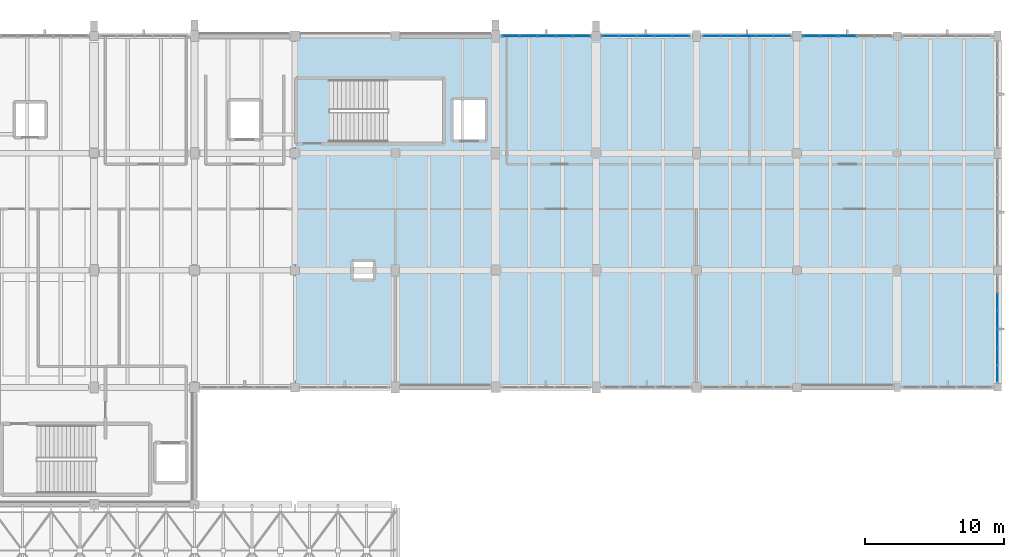
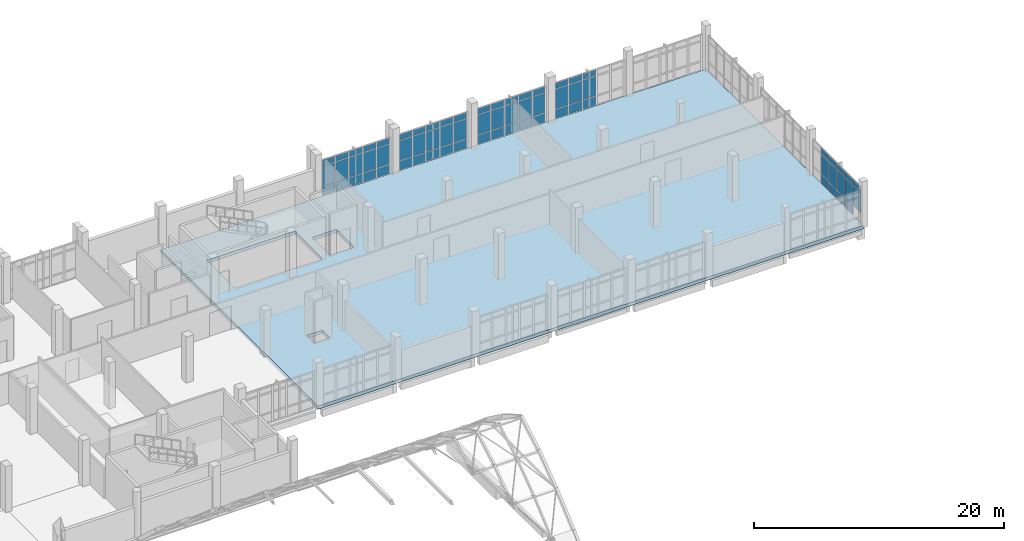
# One storey, part 67 of 87: 68 plates, 1 slab, 5 elements without a shape of their own.
"""IFC4 building model written with IfcOpenShell, lengths in metres."""

from ifc_helpers import new_model, si_unit, direction, frame, origin, origin_2d, place, context, subcontext, project, spatial, polyline, rectangle, outline, extrude, material, layer, layer_set, type_object, element, aggregate, save


model = new_model("IFC4")

# Units and contexts
model_context = context("Model", 3, precision=1e-05, world=origin(), true_north=direction((0.0, 1.0)))
body_context = subcontext(model_context, "Body", "Model", "MODEL_VIEW")
ifc_project = project(units=[si_unit("LENGTHUNIT", "METRE"), si_unit("AREAUNIT", "SQUARE_METRE"), si_unit("VOLUMEUNIT", "CUBIC_METRE"), si_unit("PLANEANGLEUNIT", "RADIAN"), si_unit("MASSUNIT", "GRAM", prefix="KILO")], contexts=[model_context])

# Site, building, storey
site_placement = place(None, origin())
site = spatial("IfcSite", under=ifc_project, at=site_placement, CompositionType="ELEMENT")
building_placement = place(site_placement, origin())
building = spatial("IfcBuilding", under=site, at=building_placement, Name="Kalluvel Institute of Natural Sciences", CompositionType="ELEMENT")
storey_placement = place(building_placement, frame((0.0, 0.0, 18.89990234375)))
storey = spatial("IfcBuildingStorey", under=building, at=storey_placement, Name="L04", CompositionType="ELEMENT", Elevation=18.89990234375)

# Curtain wall, plates
ifc_material_1 = material(Name="Aluminium AW-6063 T6", Category="aluminium")
curtain_wall_type = type_object("IfcCurtainWallType", Name="CW-WET-45", PredefinedType="USERDEFINED", material=ifc_material_1)
curtain_wall_1_placement = place(storey_placement, origin())
curtain_wall_1 = element("IfcCurtainWall", 1, at=curtain_wall_1_placement, inside=storey, type_object=curtain_wall_type, Name="L04 Gothic lancet curtain wall CWA-L04-X792-Y1280", ObjectType="UNITISED LANCET FACADE", PredefinedType="USERDEFINED")
ifc_material_2 = material(Name="Solar-Control Low-E Laminated Glass", Category="glass")
ifc_layer_1 = layer(ifc_material_2, 0.031982421875)
ifc_layer_set_1 = layer_set([ifc_layer_1], Name="Solar-Control Low-E Laminated Glass")
plate_type = type_object("IfcPlateType", Name="CWP-DGU-32", PredefinedType="CURTAIN_PANEL", material=ifc_layer_set_1)
plate_1_placement = place(storey_placement, frame((79.90380859375, 128.0, 0.065185546875), z_axis=(0.0, 0.0, 1.0), x_axis=(1.0, 0.0, 0.0)))
plate_1 = element("IfcPlate", 2, at=plate_1_placement, type_object=plate_type, Name="CW-01 panel 1.1", PredefinedType="CURTAIN_PANEL", context=body_context, shape_type="SweptSolid", body=[
    extrude(rectangle(XDim=1.177490234375, YDim=0.031982421875, at=origin_2d()), origin(), (0.0, 0.0, 1.0), 0.8525390625),
])
plate_2_placement = place(storey_placement, frame((79.90380859375, 128.0, 0.982666015625), z_axis=(0.0, 0.0, 1.0), x_axis=(1.0, 0.0, 0.0)))
plate_2 = element("IfcPlate", 3, at=plate_2_placement, type_object=plate_type, Name="CW-01 panel 1.2", PredefinedType="CURTAIN_PANEL", context=body_context, shape_type="SweptSolid", body=[
    extrude(rectangle(XDim=1.177490234375, YDim=0.031982421875, at=origin_2d()), origin(), (0.0, 0.0, 1.0), 1.9150390625),
])
plate_3_placement = place(storey_placement, frame((79.90380859375, 128.0, 2.96240234375), z_axis=(0.0, 0.0, 1.0), x_axis=(1.0, 0.0, 0.0)))
plate_3 = element("IfcPlate", 4, at=plate_3_placement, type_object=plate_type, Name="CW-01 panel 1.3", PredefinedType="CURTAIN_PANEL", context=body_context, shape_type="SweptSolid", body=[
    extrude(rectangle(XDim=1.177490234375, YDim=0.031982421875, at=origin_2d()), origin(), (0.0, 0.0, 1.0), 0.552490234375),
])
plate_4_placement = place(storey_placement, frame((81.16259765625, 128.0, 0.065185546875), z_axis=(0.0, 0.0, 1.0), x_axis=(1.0, 0.0, 0.0)))
plate_4 = element("IfcPlate", 5, at=plate_4_placement, type_object=plate_type, Name="CW-01 panel 2.1", PredefinedType="CURTAIN_PANEL", context=body_context, shape_type="SweptSolid", body=[
    extrude(rectangle(XDim=1.2099609375, YDim=0.031982421875, at=origin_2d()), origin(), (0.0, 0.0, 1.0), 0.8525390625),
])
plate_5_placement = place(storey_placement, frame((81.16259765625, 128.0, 0.982666015625), z_axis=(0.0, 0.0, 1.0), x_axis=(1.0, 0.0, 0.0)))
plate_5 = element("IfcPlate", 6, at=plate_5_placement, type_object=plate_type, Name="CW-01 panel 2.2", PredefinedType="CURTAIN_PANEL", context=body_context, shape_type="SweptSolid", body=[
    extrude(rectangle(XDim=1.2099609375, YDim=0.031982421875, at=origin_2d()), origin(), (0.0, 0.0, 1.0), 1.9150390625),
])
plate_6_placement = place(storey_placement, frame((81.16259765625, 128.0, 2.96240234375), z_axis=(0.0, 0.0, 1.0), x_axis=(1.0, 0.0, 0.0)))
plate_6 = element("IfcPlate", 7, at=plate_6_placement, type_object=plate_type, Name="CW-01 panel 2.3", PredefinedType="CURTAIN_PANEL", context=body_context, shape_type="SweptSolid", body=[
    extrude(rectangle(XDim=1.2099609375, YDim=0.031982421875, at=origin_2d()), origin(), (0.0, 0.0, 1.0), 0.552490234375),
])
plate_7_placement = place(storey_placement, frame((82.4375, 128.0, 0.065185546875), z_axis=(0.0, 0.0, 1.0), x_axis=(1.0, 0.0, 0.0)))
plate_7 = element("IfcPlate", 8, at=plate_7_placement, type_object=plate_type, Name="CW-01 panel 3.1", PredefinedType="CURTAIN_PANEL", context=body_context, shape_type="SweptSolid", body=[
    extrude(rectangle(XDim=1.2099609375, YDim=0.031982421875, at=origin_2d()), origin(), (0.0, 0.0, 1.0), 0.8525390625),
])
plate_8_placement = place(storey_placement, frame((82.4375, 128.0, 0.982666015625), z_axis=(0.0, 0.0, 1.0), x_axis=(1.0, 0.0, 0.0)))
plate_8 = element("IfcPlate", 9, at=plate_8_placement, type_object=plate_type, Name="CW-01 panel 3.2", PredefinedType="CURTAIN_PANEL", context=body_context, shape_type="SweptSolid", body=[
    extrude(rectangle(XDim=1.2099609375, YDim=0.031982421875, at=origin_2d()), origin(), (0.0, 0.0, 1.0), 1.9150390625),
])
plate_9_placement = place(storey_placement, frame((82.4375, 128.0, 2.96240234375), z_axis=(0.0, 0.0, 1.0), x_axis=(1.0, 0.0, 0.0)))
plate_9 = element("IfcPlate", 10, at=plate_9_placement, type_object=plate_type, Name="CW-01 panel 3.3", PredefinedType="CURTAIN_PANEL", context=body_context, shape_type="SweptSolid", body=[
    extrude(rectangle(XDim=1.2099609375, YDim=0.031982421875, at=origin_2d()), origin(), (0.0, 0.0, 1.0), 0.552490234375),
])
plate_10_placement = place(storey_placement, frame((83.71240234375, 128.0, 0.065185546875), z_axis=(0.0, 0.0, 1.0), x_axis=(1.0, 0.0, 0.0)))
plate_10 = element("IfcPlate", 11, at=plate_10_placement, type_object=plate_type, Name="CW-01 panel 4.1", PredefinedType="CURTAIN_PANEL", context=body_context, shape_type="SweptSolid", body=[
    extrude(rectangle(XDim=1.2099609375, YDim=0.031982421875, at=origin_2d()), origin(), (0.0, 0.0, 1.0), 0.8525390625),
])
plate_11_placement = place(storey_placement, frame((83.71240234375, 128.0, 0.982666015625), z_axis=(0.0, 0.0, 1.0), x_axis=(1.0, 0.0, 0.0)))
plate_11 = element("IfcPlate", 12, at=plate_11_placement, type_object=plate_type, Name="CW-01 panel 4.2", PredefinedType="CURTAIN_PANEL", context=body_context, shape_type="SweptSolid", body=[
    extrude(rectangle(XDim=1.2099609375, YDim=0.031982421875, at=origin_2d()), origin(), (0.0, 0.0, 1.0), 1.9150390625),
])
plate_12_placement = place(storey_placement, frame((83.71240234375, 128.0, 2.96240234375), z_axis=(0.0, 0.0, 1.0), x_axis=(1.0, 0.0, 0.0)))
plate_12 = element("IfcPlate", 13, at=plate_12_placement, type_object=plate_type, Name="CW-01 panel 4.3", PredefinedType="CURTAIN_PANEL", context=body_context, shape_type="SweptSolid", body=[
    extrude(rectangle(XDim=1.2099609375, YDim=0.031982421875, at=origin_2d()), origin(), (0.0, 0.0, 1.0), 0.552490234375),
])
plate_13_placement = place(storey_placement, frame((84.97119140625, 128.0, 0.065185546875), z_axis=(0.0, 0.0, 1.0), x_axis=(1.0, 0.0, 0.0)))
plate_13 = element("IfcPlate", 14, at=plate_13_placement, type_object=plate_type, Name="CW-01 panel 5.1", PredefinedType="CURTAIN_PANEL", context=body_context, shape_type="SweptSolid", body=[
    extrude(rectangle(XDim=1.177490234375, YDim=0.031982421875, at=origin_2d()), origin(), (0.0, 0.0, 1.0), 0.8525390625),
])
plate_14_placement = place(storey_placement, frame((84.97119140625, 128.0, 0.982666015625), z_axis=(0.0, 0.0, 1.0), x_axis=(1.0, 0.0, 0.0)))
plate_14 = element("IfcPlate", 15, at=plate_14_placement, type_object=plate_type, Name="CW-01 panel 5.2", PredefinedType="CURTAIN_PANEL", context=body_context, shape_type="SweptSolid", body=[
    extrude(rectangle(XDim=1.177490234375, YDim=0.031982421875, at=origin_2d()), origin(), (0.0, 0.0, 1.0), 1.9150390625),
])
plate_15_placement = place(storey_placement, frame((84.97119140625, 128.0, 2.96240234375), z_axis=(0.0, 0.0, 1.0), x_axis=(1.0, 0.0, 0.0)))
plate_15 = element("IfcPlate", 16, at=plate_15_placement, type_object=plate_type, Name="CW-01 panel 5.3", PredefinedType="CURTAIN_PANEL", context=body_context, shape_type="SweptSolid", body=[
    extrude(rectangle(XDim=1.177490234375, YDim=0.031982421875, at=origin_2d()), origin(), (0.0, 0.0, 1.0), 0.552490234375),
])
aggregate(curtain_wall_1, [plate_1, plate_2, plate_3, plate_4, plate_5, plate_6, plate_7, plate_8, plate_9, plate_10, plate_11, plate_12, plate_13, plate_14, plate_15])

curtain_wall_2_placement = place(storey_placement, origin())
curtain_wall_2 = element("IfcCurtainWall", 17, at=curtain_wall_2_placement, inside=storey, type_object=curtain_wall_type, Name="L04 Gothic lancet curtain wall CWA-L04-X864-Y1280", ObjectType="UNITISED LANCET FACADE", PredefinedType="USERDEFINED")
plate_16_placement = place(storey_placement, frame((87.02880859375, 128.0, 0.065185546875), z_axis=(0.0, 0.0, 1.0), x_axis=(1.0, 0.0, 0.0)))
plate_16 = element("IfcPlate", 18, at=plate_16_placement, type_object=plate_type, Name="CW-01 panel 1.1", PredefinedType="CURTAIN_PANEL", context=body_context, shape_type="SweptSolid", body=[
    extrude(rectangle(XDim=1.177490234375, YDim=0.031982421875, at=origin_2d()), origin(), (0.0, 0.0, 1.0), 0.8525390625),
])
plate_17_placement = place(storey_placement, frame((87.02880859375, 128.0, 0.982666015625), z_axis=(0.0, 0.0, 1.0), x_axis=(1.0, 0.0, 0.0)))
plate_17 = element("IfcPlate", 19, at=plate_17_placement, type_object=plate_type, Name="CW-01 panel 1.2", PredefinedType="CURTAIN_PANEL", context=body_context, shape_type="SweptSolid", body=[
    extrude(rectangle(XDim=1.177490234375, YDim=0.031982421875, at=origin_2d()), origin(), (0.0, 0.0, 1.0), 1.9150390625),
])
plate_18_placement = place(storey_placement, frame((87.02880859375, 128.0, 2.96240234375), z_axis=(0.0, 0.0, 1.0), x_axis=(1.0, 0.0, 0.0)))
plate_18 = element("IfcPlate", 20, at=plate_18_placement, type_object=plate_type, Name="CW-01 panel 1.3", PredefinedType="CURTAIN_PANEL", context=body_context, shape_type="SweptSolid", body=[
    extrude(rectangle(XDim=1.177490234375, YDim=0.031982421875, at=origin_2d()), origin(), (0.0, 0.0, 1.0), 0.552490234375),
])
plate_19_placement = place(storey_placement, frame((88.28759765625, 128.0, 0.065185546875), z_axis=(0.0, 0.0, 1.0), x_axis=(1.0, 0.0, 0.0)))
plate_19 = element("IfcPlate", 21, at=plate_19_placement, type_object=plate_type, Name="CW-01 panel 2.1", PredefinedType="CURTAIN_PANEL", context=body_context, shape_type="SweptSolid", body=[
    extrude(rectangle(XDim=1.2099609375, YDim=0.031982421875, at=origin_2d()), origin(), (0.0, 0.0, 1.0), 0.8525390625),
])
plate_20_placement = place(storey_placement, frame((88.28759765625, 128.0, 0.982666015625), z_axis=(0.0, 0.0, 1.0), x_axis=(1.0, 0.0, 0.0)))
plate_20 = element("IfcPlate", 22, at=plate_20_placement, type_object=plate_type, Name="CW-01 panel 2.2", PredefinedType="CURTAIN_PANEL", context=body_context, shape_type="SweptSolid", body=[
    extrude(rectangle(XDim=1.2099609375, YDim=0.031982421875, at=origin_2d()), origin(), (0.0, 0.0, 1.0), 1.9150390625),
])
plate_21_placement = place(storey_placement, frame((88.28759765625, 128.0, 2.96240234375), z_axis=(0.0, 0.0, 1.0), x_axis=(1.0, 0.0, 0.0)))
plate_21 = element("IfcPlate", 23, at=plate_21_placement, type_object=plate_type, Name="CW-01 panel 2.3", PredefinedType="CURTAIN_PANEL", context=body_context, shape_type="SweptSolid", body=[
    extrude(rectangle(XDim=1.2099609375, YDim=0.031982421875, at=origin_2d()), origin(), (0.0, 0.0, 1.0), 0.552490234375),
])
plate_22_placement = place(storey_placement, frame((89.5625, 128.0, 0.065185546875), z_axis=(0.0, 0.0, 1.0), x_axis=(1.0, 0.0, 0.0)))
plate_22 = element("IfcPlate", 24, at=plate_22_placement, type_object=plate_type, Name="CW-01 panel 3.1", PredefinedType="CURTAIN_PANEL", context=body_context, shape_type="SweptSolid", body=[
    extrude(rectangle(XDim=1.2099609375, YDim=0.031982421875, at=origin_2d()), origin(), (0.0, 0.0, 1.0), 0.8525390625),
])
plate_23_placement = place(storey_placement, frame((89.5625, 128.0, 0.982666015625), z_axis=(0.0, 0.0, 1.0), x_axis=(1.0, 0.0, 0.0)))
plate_23 = element("IfcPlate", 25, at=plate_23_placement, type_object=plate_type, Name="CW-01 panel 3.2", PredefinedType="CURTAIN_PANEL", context=body_context, shape_type="SweptSolid", body=[
    extrude(rectangle(XDim=1.2099609375, YDim=0.031982421875, at=origin_2d()), origin(), (0.0, 0.0, 1.0), 1.9150390625),
])
plate_24_placement = place(storey_placement, frame((89.5625, 128.0, 2.96240234375), z_axis=(0.0, 0.0, 1.0), x_axis=(1.0, 0.0, 0.0)))
plate_24 = element("IfcPlate", 26, at=plate_24_placement, type_object=plate_type, Name="CW-01 panel 3.3", PredefinedType="CURTAIN_PANEL", context=body_context, shape_type="SweptSolid", body=[
    extrude(rectangle(XDim=1.2099609375, YDim=0.031982421875, at=origin_2d()), origin(), (0.0, 0.0, 1.0), 0.552490234375),
])
plate_25_placement = place(storey_placement, frame((90.83740234375, 128.0, 0.065185546875), z_axis=(0.0, 0.0, 1.0), x_axis=(1.0, 0.0, 0.0)))
plate_25 = element("IfcPlate", 27, at=plate_25_placement, type_object=plate_type, Name="CW-01 panel 4.1", PredefinedType="CURTAIN_PANEL", context=body_context, shape_type="SweptSolid", body=[
    extrude(rectangle(XDim=1.2099609375, YDim=0.031982421875, at=origin_2d()), origin(), (0.0, 0.0, 1.0), 0.8525390625),
])
plate_26_placement = place(storey_placement, frame((90.83740234375, 128.0, 0.982666015625), z_axis=(0.0, 0.0, 1.0), x_axis=(1.0, 0.0, 0.0)))
plate_26 = element("IfcPlate", 28, at=plate_26_placement, type_object=plate_type, Name="CW-01 panel 4.2", PredefinedType="CURTAIN_PANEL", context=body_context, shape_type="SweptSolid", body=[
    extrude(rectangle(XDim=1.2099609375, YDim=0.031982421875, at=origin_2d()), origin(), (0.0, 0.0, 1.0), 1.9150390625),
])
plate_27_placement = place(storey_placement, frame((90.83740234375, 128.0, 2.96240234375), z_axis=(0.0, 0.0, 1.0), x_axis=(1.0, 0.0, 0.0)))
plate_27 = element("IfcPlate", 29, at=plate_27_placement, type_object=plate_type, Name="CW-01 panel 4.3", PredefinedType="CURTAIN_PANEL", context=body_context, shape_type="SweptSolid", body=[
    extrude(rectangle(XDim=1.2099609375, YDim=0.031982421875, at=origin_2d()), origin(), (0.0, 0.0, 1.0), 0.552490234375),
])
plate_28_placement = place(storey_placement, frame((92.09619140625, 128.0, 0.065185546875), z_axis=(0.0, 0.0, 1.0), x_axis=(1.0, 0.0, 0.0)))
plate_28 = element("IfcPlate", 30, at=plate_28_placement, type_object=plate_type, Name="CW-01 panel 5.1", PredefinedType="CURTAIN_PANEL", context=body_context, shape_type="SweptSolid", body=[
    extrude(rectangle(XDim=1.177490234375, YDim=0.031982421875, at=origin_2d()), origin(), (0.0, 0.0, 1.0), 0.8525390625),
])
plate_29_placement = place(storey_placement, frame((92.09619140625, 128.0, 0.982666015625), z_axis=(0.0, 0.0, 1.0), x_axis=(1.0, 0.0, 0.0)))
plate_29 = element("IfcPlate", 31, at=plate_29_placement, type_object=plate_type, Name="CW-01 panel 5.2", PredefinedType="CURTAIN_PANEL", context=body_context, shape_type="SweptSolid", body=[
    extrude(rectangle(XDim=1.177490234375, YDim=0.031982421875, at=origin_2d()), origin(), (0.0, 0.0, 1.0), 1.9150390625),
])
plate_30_placement = place(storey_placement, frame((92.09619140625, 128.0, 2.96240234375), z_axis=(0.0, 0.0, 1.0), x_axis=(1.0, 0.0, 0.0)))
plate_30 = element("IfcPlate", 32, at=plate_30_placement, type_object=plate_type, Name="CW-01 panel 5.3", PredefinedType="CURTAIN_PANEL", context=body_context, shape_type="SweptSolid", body=[
    extrude(rectangle(XDim=1.177490234375, YDim=0.031982421875, at=origin_2d()), origin(), (0.0, 0.0, 1.0), 0.552490234375),
])
aggregate(curtain_wall_2, [plate_16, plate_17, plate_18, plate_19, plate_20, plate_21, plate_22, plate_23, plate_24, plate_25, plate_26, plate_27, plate_28, plate_29, plate_30])

curtain_wall_3_placement = place(storey_placement, origin())
curtain_wall_3 = element("IfcCurtainWall", 33, at=curtain_wall_3_placement, inside=storey, type_object=curtain_wall_type, Name="L04 Gothic lancet curtain wall CWA-L04-X936-Y1280", ObjectType="UNITISED LANCET FACADE", PredefinedType="USERDEFINED")
plate_31_placement = place(storey_placement, frame((94.30126953125, 128.0, 0.065185546875), z_axis=(0.0, 0.0, 1.0), x_axis=(1.0, 0.0, 0.0)))
plate_31 = element("IfcPlate", 34, at=plate_31_placement, type_object=plate_type, Name="CW-01 panel 1.1", PredefinedType="CURTAIN_PANEL", context=body_context, shape_type="SweptSolid", body=[
    extrude(rectangle(XDim=1.172607421875, YDim=0.031982421875, at=origin_2d()), origin(), (0.0, 0.0, 1.0), 0.8525390625),
])
plate_32_placement = place(storey_placement, frame((94.30126953125, 128.0, 0.982666015625), z_axis=(0.0, 0.0, 1.0), x_axis=(1.0, 0.0, 0.0)))
plate_32 = element("IfcPlate", 35, at=plate_32_placement, type_object=plate_type, Name="CW-01 panel 1.2", PredefinedType="CURTAIN_PANEL", context=body_context, shape_type="SweptSolid", body=[
    extrude(rectangle(XDim=1.172607421875, YDim=0.031982421875, at=origin_2d()), origin(), (0.0, 0.0, 1.0), 1.9150390625),
])
plate_33_placement = place(storey_placement, frame((94.30126953125, 128.0, 2.96240234375), z_axis=(0.0, 0.0, 1.0), x_axis=(1.0, 0.0, 0.0)))
plate_33 = element("IfcPlate", 36, at=plate_33_placement, type_object=plate_type, Name="CW-01 panel 1.3", PredefinedType="CURTAIN_PANEL", context=body_context, shape_type="SweptSolid", body=[
    extrude(rectangle(XDim=1.172607421875, YDim=0.031982421875, at=origin_2d()), origin(), (0.0, 0.0, 1.0), 0.552490234375),
])
plate_34_placement = place(storey_placement, frame((95.554931640625, 128.0, 0.065185546875), z_axis=(0.0, 0.0, 1.0), x_axis=(1.0, 0.0, 0.0)))
plate_34 = element("IfcPlate", 37, at=plate_34_placement, type_object=plate_type, Name="CW-01 panel 2.1", PredefinedType="CURTAIN_PANEL", context=body_context, shape_type="SweptSolid", body=[
    extrude(rectangle(XDim=1.205078125, YDim=0.031982421875, at=origin_2d()), origin(), (0.0, 0.0, 1.0), 0.8525390625),
])
plate_35_placement = place(storey_placement, frame((95.554931640625, 128.0, 0.982666015625), z_axis=(0.0, 0.0, 1.0), x_axis=(1.0, 0.0, 0.0)))
plate_35 = element("IfcPlate", 38, at=plate_35_placement, type_object=plate_type, Name="CW-01 panel 2.2", PredefinedType="CURTAIN_PANEL", context=body_context, shape_type="SweptSolid", body=[
    extrude(rectangle(XDim=1.205078125, YDim=0.031982421875, at=origin_2d()), origin(), (0.0, 0.0, 1.0), 1.9150390625),
])
plate_36_placement = place(storey_placement, frame((95.554931640625, 128.0, 2.96240234375), z_axis=(0.0, 0.0, 1.0), x_axis=(1.0, 0.0, 0.0)))
plate_36 = element("IfcPlate", 39, at=plate_36_placement, type_object=plate_type, Name="CW-01 panel 2.3", PredefinedType="CURTAIN_PANEL", context=body_context, shape_type="SweptSolid", body=[
    extrude(rectangle(XDim=1.205078125, YDim=0.031982421875, at=origin_2d()), origin(), (0.0, 0.0, 1.0), 0.552490234375),
])
plate_37_placement = place(storey_placement, frame((96.824951171875, 128.0, 0.065185546875), z_axis=(0.0, 0.0, 1.0), x_axis=(1.0, 0.0, 0.0)))
plate_37 = element("IfcPlate", 40, at=plate_37_placement, type_object=plate_type, Name="CW-01 panel 3.1", PredefinedType="CURTAIN_PANEL", context=body_context, shape_type="SweptSolid", body=[
    extrude(rectangle(XDim=1.205078125, YDim=0.031982421875, at=origin_2d()), origin(), (0.0, 0.0, 1.0), 0.8525390625),
])
plate_38_placement = place(storey_placement, frame((96.824951171875, 128.0, 0.982666015625), z_axis=(0.0, 0.0, 1.0), x_axis=(1.0, 0.0, 0.0)))
plate_38 = element("IfcPlate", 41, at=plate_38_placement, type_object=plate_type, Name="CW-01 panel 3.2", PredefinedType="CURTAIN_PANEL", context=body_context, shape_type="SweptSolid", body=[
    extrude(rectangle(XDim=1.205078125, YDim=0.031982421875, at=origin_2d()), origin(), (0.0, 0.0, 1.0), 1.9150390625),
])
plate_39_placement = place(storey_placement, frame((96.824951171875, 128.0, 2.96240234375), z_axis=(0.0, 0.0, 1.0), x_axis=(1.0, 0.0, 0.0)))
plate_39 = element("IfcPlate", 42, at=plate_39_placement, type_object=plate_type, Name="CW-01 panel 3.3", PredefinedType="CURTAIN_PANEL", context=body_context, shape_type="SweptSolid", body=[
    extrude(rectangle(XDim=1.205078125, YDim=0.031982421875, at=origin_2d()), origin(), (0.0, 0.0, 1.0), 0.552490234375),
])
plate_40_placement = place(storey_placement, frame((98.094970703125, 128.0, 0.065185546875), z_axis=(0.0, 0.0, 1.0), x_axis=(1.0, 0.0, 0.0)))
plate_40 = element("IfcPlate", 43, at=plate_40_placement, type_object=plate_type, Name="CW-01 panel 4.1", PredefinedType="CURTAIN_PANEL", context=body_context, shape_type="SweptSolid", body=[
    extrude(rectangle(XDim=1.205078125, YDim=0.031982421875, at=origin_2d()), origin(), (0.0, 0.0, 1.0), 0.8525390625),
])
plate_41_placement = place(storey_placement, frame((98.094970703125, 128.0, 0.982666015625), z_axis=(0.0, 0.0, 1.0), x_axis=(1.0, 0.0, 0.0)))
plate_41 = element("IfcPlate", 44, at=plate_41_placement, type_object=plate_type, Name="CW-01 panel 4.2", PredefinedType="CURTAIN_PANEL", context=body_context, shape_type="SweptSolid", body=[
    extrude(rectangle(XDim=1.205078125, YDim=0.031982421875, at=origin_2d()), origin(), (0.0, 0.0, 1.0), 1.9150390625),
])
plate_42_placement = place(storey_placement, frame((98.094970703125, 128.0, 2.96240234375), z_axis=(0.0, 0.0, 1.0), x_axis=(1.0, 0.0, 0.0)))
plate_42 = element("IfcPlate", 45, at=plate_42_placement, type_object=plate_type, Name="CW-01 panel 4.3", PredefinedType="CURTAIN_PANEL", context=body_context, shape_type="SweptSolid", body=[
    extrude(rectangle(XDim=1.205078125, YDim=0.031982421875, at=origin_2d()), origin(), (0.0, 0.0, 1.0), 0.552490234375),
])
plate_43_placement = place(storey_placement, frame((99.3486328125, 128.0, 0.065185546875), z_axis=(0.0, 0.0, 1.0), x_axis=(1.0, 0.0, 0.0)))
plate_43 = element("IfcPlate", 46, at=plate_43_placement, type_object=plate_type, Name="CW-01 panel 5.1", PredefinedType="CURTAIN_PANEL", context=body_context, shape_type="SweptSolid", body=[
    extrude(rectangle(XDim=1.172607421875, YDim=0.031982421875, at=origin_2d()), origin(), (0.0, 0.0, 1.0), 0.8525390625),
])
plate_44_placement = place(storey_placement, frame((99.3486328125, 128.0, 0.982666015625), z_axis=(0.0, 0.0, 1.0), x_axis=(1.0, 0.0, 0.0)))
plate_44 = element("IfcPlate", 47, at=plate_44_placement, type_object=plate_type, Name="CW-01 panel 5.2", PredefinedType="CURTAIN_PANEL", context=body_context, shape_type="SweptSolid", body=[
    extrude(rectangle(XDim=1.172607421875, YDim=0.031982421875, at=origin_2d()), origin(), (0.0, 0.0, 1.0), 1.9150390625),
])
plate_45_placement = place(storey_placement, frame((99.3486328125, 128.0, 2.96240234375), z_axis=(0.0, 0.0, 1.0), x_axis=(1.0, 0.0, 0.0)))
plate_45 = element("IfcPlate", 48, at=plate_45_placement, type_object=plate_type, Name="CW-01 panel 5.3", PredefinedType="CURTAIN_PANEL", context=body_context, shape_type="SweptSolid", body=[
    extrude(rectangle(XDim=1.172607421875, YDim=0.031982421875, at=origin_2d()), origin(), (0.0, 0.0, 1.0), 0.552490234375),
])
aggregate(curtain_wall_3, [plate_31, plate_32, plate_33, plate_34, plate_35, plate_36, plate_37, plate_38, plate_39, plate_40, plate_41, plate_42, plate_43, plate_44, plate_45])

curtain_wall_4_placement = place(storey_placement, origin())
curtain_wall_4 = element("IfcCurtainWall", 49, at=curtain_wall_4_placement, inside=storey, type_object=curtain_wall_type, Name="L04 Gothic lancet curtain wall CWA-L04-X1008-Y1280", ObjectType="UNITISED LANCET FACADE", PredefinedType="USERDEFINED")
plate_46_placement = place(storey_placement, frame((101.461181640625, 128.0, 0.065185546875), z_axis=(0.0, 0.0, 1.0), x_axis=(1.0, 0.0, 0.0)))
plate_46 = element("IfcPlate", 50, at=plate_46_placement, type_object=plate_type, Name="CW-01 panel 1.1", PredefinedType="CURTAIN_PANEL", context=body_context, shape_type="SweptSolid", body=[
    extrude(rectangle(XDim=1.1923828125, YDim=0.031982421875, at=origin_2d()), origin(), (0.0, 0.0, 1.0), 0.8525390625),
])
plate_47_placement = place(storey_placement, frame((101.461181640625, 128.0, 0.982666015625), z_axis=(0.0, 0.0, 1.0), x_axis=(1.0, 0.0, 0.0)))
plate_47 = element("IfcPlate", 51, at=plate_47_placement, type_object=plate_type, Name="CW-01 panel 1.2", PredefinedType="CURTAIN_PANEL", context=body_context, shape_type="SweptSolid", body=[
    extrude(rectangle(XDim=1.1923828125, YDim=0.031982421875, at=origin_2d()), origin(), (0.0, 0.0, 1.0), 1.9150390625),
])
plate_48_placement = place(storey_placement, frame((101.461181640625, 128.0, 2.96240234375), z_axis=(0.0, 0.0, 1.0), x_axis=(1.0, 0.0, 0.0)))
plate_48 = element("IfcPlate", 52, at=plate_48_placement, type_object=plate_type, Name="CW-01 panel 1.3", PredefinedType="CURTAIN_PANEL", context=body_context, shape_type="SweptSolid", body=[
    extrude(rectangle(XDim=1.1923828125, YDim=0.031982421875, at=origin_2d()), origin(), (0.0, 0.0, 1.0), 0.552490234375),
])
plate_49_placement = place(storey_placement, frame((102.735107421875, 128.0, 0.065185546875), z_axis=(0.0, 0.0, 1.0), x_axis=(1.0, 0.0, 0.0)))
plate_49 = element("IfcPlate", 53, at=plate_49_placement, type_object=plate_type, Name="CW-01 panel 2.1", PredefinedType="CURTAIN_PANEL", context=body_context, shape_type="SweptSolid", body=[
    extrude(rectangle(XDim=1.22509765625, YDim=0.031982421875, at=origin_2d()), origin(), (0.0, 0.0, 1.0), 0.8525390625),
])
plate_50_placement = place(storey_placement, frame((102.735107421875, 128.0, 0.982666015625), z_axis=(0.0, 0.0, 1.0), x_axis=(1.0, 0.0, 0.0)))
plate_50 = element("IfcPlate", 54, at=plate_50_placement, type_object=plate_type, Name="CW-01 panel 2.2", PredefinedType="CURTAIN_PANEL", context=body_context, shape_type="SweptSolid", body=[
    extrude(rectangle(XDim=1.22509765625, YDim=0.031982421875, at=origin_2d()), origin(), (0.0, 0.0, 1.0), 1.9150390625),
])
plate_51_placement = place(storey_placement, frame((102.735107421875, 128.0, 2.96240234375), z_axis=(0.0, 0.0, 1.0), x_axis=(1.0, 0.0, 0.0)))
plate_51 = element("IfcPlate", 55, at=plate_51_placement, type_object=plate_type, Name="CW-01 panel 2.3", PredefinedType="CURTAIN_PANEL", context=body_context, shape_type="SweptSolid", body=[
    extrude(rectangle(XDim=1.22509765625, YDim=0.031982421875, at=origin_2d()), origin(), (0.0, 0.0, 1.0), 0.552490234375),
])
plate_52_placement = place(storey_placement, frame((104.02490234375, 128.0, 0.065185546875), z_axis=(0.0, 0.0, 1.0), x_axis=(1.0, 0.0, 0.0)))
plate_52 = element("IfcPlate", 56, at=plate_52_placement, type_object=plate_type, Name="CW-01 panel 3.1", PredefinedType="CURTAIN_PANEL", context=body_context, shape_type="SweptSolid", body=[
    extrude(rectangle(XDim=1.22509765625, YDim=0.031982421875, at=origin_2d()), origin(), (0.0, 0.0, 1.0), 0.8525390625),
])
plate_53_placement = place(storey_placement, frame((104.02490234375, 128.0, 0.982666015625), z_axis=(0.0, 0.0, 1.0), x_axis=(1.0, 0.0, 0.0)))
plate_53 = element("IfcPlate", 57, at=plate_53_placement, type_object=plate_type, Name="CW-01 panel 3.2", PredefinedType="CURTAIN_PANEL", context=body_context, shape_type="SweptSolid", body=[
    extrude(rectangle(XDim=1.22509765625, YDim=0.031982421875, at=origin_2d()), origin(), (0.0, 0.0, 1.0), 1.9150390625),
])
plate_54_placement = place(storey_placement, frame((104.02490234375, 128.0, 2.96240234375), z_axis=(0.0, 0.0, 1.0), x_axis=(1.0, 0.0, 0.0)))
plate_54 = element("IfcPlate", 58, at=plate_54_placement, type_object=plate_type, Name="CW-01 panel 3.3", PredefinedType="CURTAIN_PANEL", context=body_context, shape_type="SweptSolid", body=[
    extrude(rectangle(XDim=1.22509765625, YDim=0.031982421875, at=origin_2d()), origin(), (0.0, 0.0, 1.0), 0.552490234375),
])
aggregate(curtain_wall_4, [plate_46, plate_47, plate_48, plate_49, plate_50, plate_51, plate_52, plate_53, plate_54])

curtain_wall_5_placement = place(storey_placement, origin())
curtain_wall_5 = element("IfcCurtainWall", 59, at=curtain_wall_5_placement, inside=storey, type_object=curtain_wall_type, Name="L04 Gothic lancet curtain wall CWA-L04-X1148-Y1031", ObjectType="UNITISED LANCET FACADE", PredefinedType="USERDEFINED")
plate_55_placement = place(storey_placement, frame((114.800048828125, 103.784912109375, 0.982666015625), z_axis=(0.0, 0.0, 1.0), x_axis=(0.0, 1.0, 0.0)))
plate_55 = element("IfcPlate", 60, at=plate_55_placement, type_object=plate_type, Name="CW-01 panel 1.2", PredefinedType="CURTAIN_PANEL", context=body_context, shape_type="SweptSolid", body=[
    extrude(rectangle(XDim=1.18994140625, YDim=0.031982421875, at=origin_2d()), origin(), (0.0, 0.0, 1.0), 1.9150390625),
])
plate_56_placement = place(storey_placement, frame((114.800048828125, 103.784912109375, 2.96240234375), z_axis=(0.0, 0.0, 1.0), x_axis=(0.0, 1.0, 0.0)))
plate_56 = element("IfcPlate", 61, at=plate_56_placement, type_object=plate_type, Name="CW-01 panel 1.3", PredefinedType="CURTAIN_PANEL", context=body_context, shape_type="SweptSolid", body=[
    extrude(rectangle(XDim=1.18994140625, YDim=0.031982421875, at=origin_2d()), origin(), (0.0, 0.0, 1.0), 0.552490234375),
])
plate_57_placement = place(storey_placement, frame((114.800048828125, 105.05615234375, 0.065185546875), z_axis=(0.0, 0.0, 1.0), x_axis=(0.0, 1.0, 0.0)))
plate_57 = element("IfcPlate", 62, at=plate_57_placement, type_object=plate_type, Name="CW-01 panel 2.1", PredefinedType="CURTAIN_PANEL", context=body_context, shape_type="SweptSolid", body=[
    extrude(rectangle(XDim=1.222412109375, YDim=0.031982421875, at=origin_2d()), origin(), (0.0, 0.0, 1.0), 0.8525390625),
])
plate_58_placement = place(storey_placement, frame((114.800048828125, 105.05615234375, 0.982666015625), z_axis=(0.0, 0.0, 1.0), x_axis=(0.0, 1.0, 0.0)))
plate_58 = element("IfcPlate", 63, at=plate_58_placement, type_object=plate_type, Name="CW-01 panel 2.2", PredefinedType="CURTAIN_PANEL", context=body_context, shape_type="SweptSolid", body=[
    extrude(rectangle(XDim=1.222412109375, YDim=0.031982421875, at=origin_2d()), origin(), (0.0, 0.0, 1.0), 1.9150390625),
])
plate_59_placement = place(storey_placement, frame((114.800048828125, 105.05615234375, 2.96240234375), z_axis=(0.0, 0.0, 1.0), x_axis=(0.0, 1.0, 0.0)))
plate_59 = element("IfcPlate", 64, at=plate_59_placement, type_object=plate_type, Name="CW-01 panel 2.3", PredefinedType="CURTAIN_PANEL", context=body_context, shape_type="SweptSolid", body=[
    extrude(rectangle(XDim=1.222412109375, YDim=0.031982421875, at=origin_2d()), origin(), (0.0, 0.0, 1.0), 0.552490234375),
])
plate_60_placement = place(storey_placement, frame((114.800048828125, 106.34375, 0.065185546875), z_axis=(0.0, 0.0, 1.0), x_axis=(0.0, 1.0, 0.0)))
plate_60 = element("IfcPlate", 65, at=plate_60_placement, type_object=plate_type, Name="CW-01 panel 3.1", PredefinedType="CURTAIN_PANEL", context=body_context, shape_type="SweptSolid", body=[
    extrude(rectangle(XDim=1.222412109375, YDim=0.031982421875, at=origin_2d()), origin(), (0.0, 0.0, 1.0), 0.8525390625),
])
plate_61_placement = place(storey_placement, frame((114.800048828125, 106.34375, 0.982666015625), z_axis=(0.0, 0.0, 1.0), x_axis=(0.0, 1.0, 0.0)))
plate_61 = element("IfcPlate", 66, at=plate_61_placement, type_object=plate_type, Name="CW-01 panel 3.2", PredefinedType="CURTAIN_PANEL", context=body_context, shape_type="SweptSolid", body=[
    extrude(rectangle(XDim=1.222412109375, YDim=0.031982421875, at=origin_2d()), origin(), (0.0, 0.0, 1.0), 1.9150390625),
])
plate_62_placement = place(storey_placement, frame((114.800048828125, 106.34375, 2.96240234375), z_axis=(0.0, 0.0, 1.0), x_axis=(0.0, 1.0, 0.0)))
plate_62 = element("IfcPlate", 67, at=plate_62_placement, type_object=plate_type, Name="CW-01 panel 3.3", PredefinedType="CURTAIN_PANEL", context=body_context, shape_type="SweptSolid", body=[
    extrude(rectangle(XDim=1.222412109375, YDim=0.031982421875, at=origin_2d()), origin(), (0.0, 0.0, 1.0), 0.552490234375),
])
plate_63_placement = place(storey_placement, frame((114.800048828125, 107.63134765625, 0.065185546875), z_axis=(0.0, 0.0, 1.0), x_axis=(0.0, 1.0, 0.0)))
plate_63 = element("IfcPlate", 68, at=plate_63_placement, type_object=plate_type, Name="CW-01 panel 4.1", PredefinedType="CURTAIN_PANEL", context=body_context, shape_type="SweptSolid", body=[
    extrude(rectangle(XDim=1.222412109375, YDim=0.031982421875, at=origin_2d()), origin(), (0.0, 0.0, 1.0), 0.8525390625),
])
plate_64_placement = place(storey_placement, frame((114.800048828125, 107.63134765625, 0.982666015625), z_axis=(0.0, 0.0, 1.0), x_axis=(0.0, 1.0, 0.0)))
plate_64 = element("IfcPlate", 69, at=plate_64_placement, type_object=plate_type, Name="CW-01 panel 4.2", PredefinedType="CURTAIN_PANEL", context=body_context, shape_type="SweptSolid", body=[
    extrude(rectangle(XDim=1.222412109375, YDim=0.031982421875, at=origin_2d()), origin(), (0.0, 0.0, 1.0), 1.9150390625),
])
plate_65_placement = place(storey_placement, frame((114.800048828125, 107.63134765625, 2.96240234375), z_axis=(0.0, 0.0, 1.0), x_axis=(0.0, 1.0, 0.0)))
plate_65 = element("IfcPlate", 70, at=plate_65_placement, type_object=plate_type, Name="CW-01 panel 4.3", PredefinedType="CURTAIN_PANEL", context=body_context, shape_type="SweptSolid", body=[
    extrude(rectangle(XDim=1.222412109375, YDim=0.031982421875, at=origin_2d()), origin(), (0.0, 0.0, 1.0), 0.552490234375),
])
plate_66_placement = place(storey_placement, frame((114.800048828125, 108.918701171875, 0.065185546875), z_axis=(0.0, 0.0, 1.0), x_axis=(0.0, 1.0, 0.0)))
plate_66 = element("IfcPlate", 71, at=plate_66_placement, type_object=plate_type, Name="CW-01 panel 5.1", PredefinedType="CURTAIN_PANEL", context=body_context, shape_type="SweptSolid", body=[
    extrude(rectangle(XDim=1.222412109375, YDim=0.031982421875, at=origin_2d()), origin(), (0.0, 0.0, 1.0), 0.8525390625),
])
plate_67_placement = place(storey_placement, frame((114.800048828125, 108.918701171875, 0.982666015625), z_axis=(0.0, 0.0, 1.0), x_axis=(0.0, 1.0, 0.0)))
plate_67 = element("IfcPlate", 72, at=plate_67_placement, type_object=plate_type, Name="CW-01 panel 5.2", PredefinedType="CURTAIN_PANEL", context=body_context, shape_type="SweptSolid", body=[
    extrude(rectangle(XDim=1.222412109375, YDim=0.031982421875, at=origin_2d()), origin(), (0.0, 0.0, 1.0), 1.9150390625),
])
plate_68_placement = place(storey_placement, frame((114.800048828125, 108.918701171875, 2.96240234375), z_axis=(0.0, 0.0, 1.0), x_axis=(0.0, 1.0, 0.0)))
plate_68 = element("IfcPlate", 73, at=plate_68_placement, type_object=plate_type, Name="CW-01 panel 5.3", PredefinedType="CURTAIN_PANEL", context=body_context, shape_type="SweptSolid", body=[
    extrude(rectangle(XDim=1.222412109375, YDim=0.031982421875, at=origin_2d()), origin(), (0.0, 0.0, 1.0), 0.552490234375),
])
aggregate(curtain_wall_5, [plate_55, plate_56, plate_57, plate_58, plate_59, plate_60, plate_61, plate_62, plate_63, plate_64, plate_65, plate_66, plate_67, plate_68])

# Slab
ifc_material_3 = material(Name="Concrete M40", Category="concrete")
ifc_layer_2 = layer(ifc_material_3, 0.320068359375)
ifc_layer_set_2 = layer_set([ifc_layer_2], Name="Concrete M40")
slab_type = type_object("IfcSlabType", Name="SLB-WET-320", PredefinedType="FLOOR", material=ifc_layer_set_2)
slab_placement = place(storey_placement, frame((0.0, 0.0, -0.31982421875)))
element("IfcSlab", 74, at=slab_placement, inside=storey, type_object=slab_type, Name="L04 Wet Laboratory Waffle Floor Slab E", PredefinedType="FLOOR", context=body_context, shape_type="SweptSolid", body=[
    extrude(outline(polyline([(64.39990234375, 102.800048828125), (114.800048828125, 102.800048828125), (114.800048828125, 128.0), (64.39990234375, 128.0), (64.39990234375, 102.800048828125)]), holes=[polyline([(78.02001953125, 123.419921875), (78.02001953125, 120.580078125), (75.780029296875, 120.580078125), (75.780029296875, 123.419921875), (78.02001953125, 123.419921875)]), polyline([(75.0, 124.8701171875), (75.0, 120.39990234375), (66.867919921875, 120.39990234375), (66.867919921875, 124.8701171875), (75.0, 124.8701171875)]), polyline([(68.60009765625, 111.800048828125), (70.0, 111.800048828125), (70.0, 110.60009765625), (68.60009765625, 110.60009765625), (68.60009765625, 111.800048828125)])]), origin(), (0.0, 0.0, 1.0), 0.31982421875),
])

save(model, "model.ifc")
